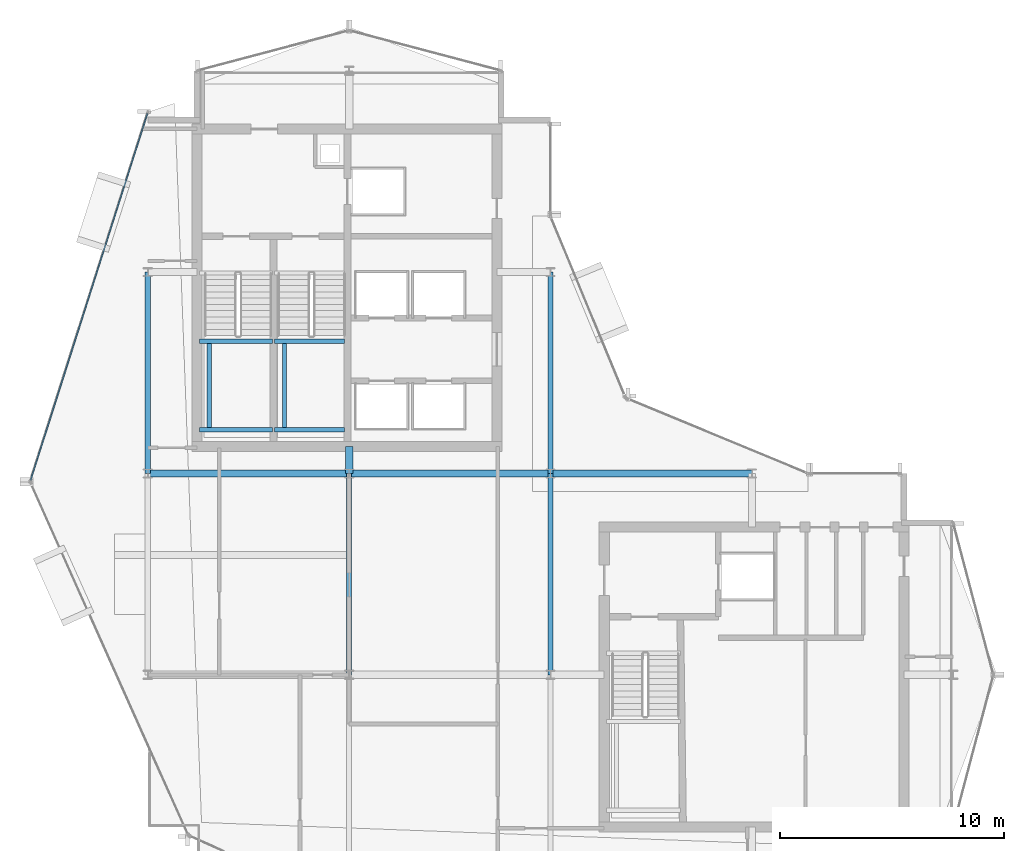
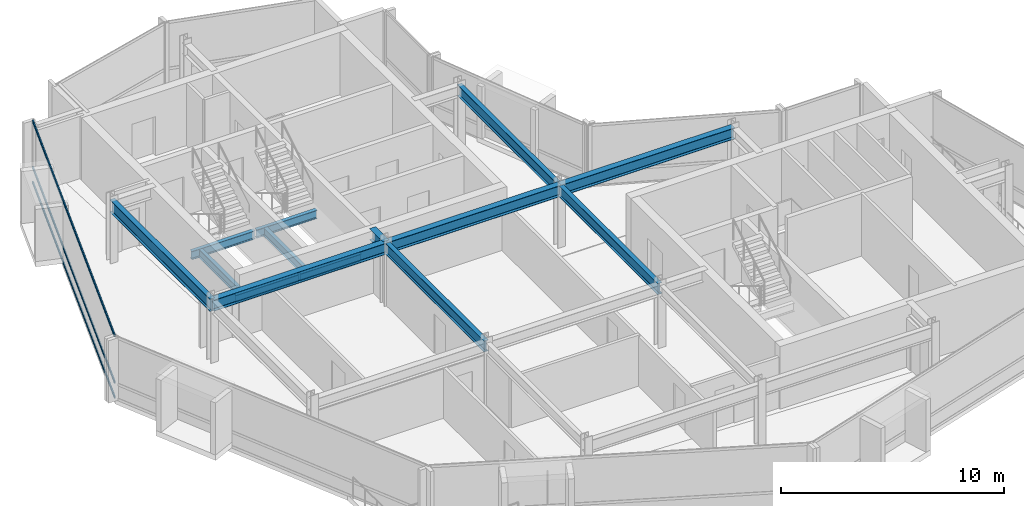
# One storey, part 7 of 19: 14 beams, 3 members, 1 element without a shape of its own.
"""IFC4 building model written with IfcOpenShell, lengths in metres."""

from ifc_helpers import new_model, si_unit, direction, frame, origin, origin_2d, place, context, subcontext, project, spatial, hollow_rectangle, i_section, extrude, material, layer, layer_set, material_profile, profile_set, type_object, element, aggregate, save


model = new_model("IFC4")

# Units and contexts
model_context = context("Model", 3, precision=1e-05, world=origin(), true_north=direction((0.0, 1.0)))
body_context = subcontext(model_context, "Body", "Model", "MODEL_VIEW")
ifc_project = project(units=[si_unit("LENGTHUNIT", "METRE"), si_unit("AREAUNIT", "SQUARE_METRE"), si_unit("VOLUMEUNIT", "CUBIC_METRE"), si_unit("PLANEANGLEUNIT", "RADIAN"), si_unit("MASSUNIT", "GRAM", prefix="KILO")], contexts=[model_context])

# Site, building, storey
site_placement = place(None, origin())
site = spatial("IfcSite", under=ifc_project, at=site_placement, CompositionType="ELEMENT")
building_placement = place(site_placement, origin())
building = spatial("IfcBuilding", under=site, at=building_placement, Name="Solvaryn Broadcast Tower", CompositionType="ELEMENT")
storey_placement = place(building_placement, frame((0.0, 0.0, 259.300048828125)))
storey = spatial("IfcBuildingStorey", under=building, at=storey_placement, Name="L65", CompositionType="ELEMENT", Elevation=259.300048828125)

# Beams
ifc_material_1 = material(Name="Steel ASTM A992 Grade 50", Category="steel")
ifc_material_profile_1 = material_profile(ifc_material_1, i_section(OverallWidth=0.323974609375, OverallDepth=0.611083984375, WebThickness=0.0126953125, FlangeThickness=0.01904296875, FilletRadius=0.014892578125, at=origin_2d()))
ifc_profile_set_1 = profile_set([ifc_material_profile_1], Name="Steel ASTM A992 Grade 50")
beam_type_1 = type_object("IfcBeamType", Name="BM-B1-W24X104", PredefinedType="BEAM", material=ifc_profile_set_1)
for number, where, z_axis, x_axis, name in (
    (1, (9.0, 27.0, 3.114501953125), (1.0, 0.0, 0.0), (0.0, 1.0, 0.0), "L65 Primary Beam X (9-18 @ Y=27)"),
    (2, (18.0, 27.0, 3.114501953125), (1.0, 0.0, 0.0), (0.0, 1.0, 0.0), "L65 Primary Beam X (18-27 @ Y=27)"),
    (3, (27.0, 27.0, 3.114501953125), (1.0, 0.0, 0.0), (0.0, 1.0, 0.0), "L65 Primary Beam X (27-36 @ Y=27)"),
):
    element("IfcBeam", number, at=place(storey_placement, frame(where, z_axis=z_axis, x_axis=x_axis)), inside=storey, type_object=beam_type_1, Name=name, PredefinedType="BEAM", context=body_context, shape_type="SweptSolid", body=[
        extrude(i_section(OverallWidth=0.323974609375, OverallDepth=0.611083984375, WebThickness=0.0126953125, FlangeThickness=0.01904296875, FilletRadius=0.014892578125, at=origin_2d()), origin(), (0.0, 0.0, 1.0), 9.0),
    ])
beam_1_placement = place(storey_placement, frame((18.0, 27.0, 3.114501953125), z_axis=(0.0, 1.0, 0.0), x_axis=(-1.0, 0.0, 0.0)))
element("IfcBeam", 4, at=beam_1_placement, inside=storey, type_object=beam_type_1, Name="L65 Core Tie Beam CTW4", PredefinedType="BEAM", context=body_context, shape_type="SweptSolid", body=[
    extrude(i_section(OverallWidth=0.323974609375, OverallDepth=0.611083984375, WebThickness=0.0126953125, FlangeThickness=0.01904296875, FilletRadius=0.014892578125, at=origin_2d()), origin(), (0.0, 0.0, 1.0), 1.199951171875),
])
ifc_material_2 = material(Name="Steel ASTM A992 Grade 50", Category="steel")
ifc_material_profile_2 = material_profile(ifc_material_2, i_section(OverallWidth=0.22802734375, OverallDepth=0.60791015625, WebThickness=0.01123046875, FlangeThickness=0.017333984375, FilletRadius=0.014892578125, at=origin_2d()))
ifc_profile_set_2 = profile_set([ifc_material_profile_2], Name="Steel ASTM A992 Grade 50")
beam_type_2 = type_object("IfcBeamType", Name="BM-B2-W24X76", PredefinedType="BEAM", material=ifc_profile_set_2)
for number, where, z_axis, x_axis, name in (
    (5, (18.0, 18.0, 3.115966796875), (0.0, 1.0, 0.0), (-1.0, 0.0, 0.0), "L65 Primary Beam Y (18-27 @ X=18)"),
    (6, (27.0, 18.0, 3.115966796875), (0.0, 1.0, 0.0), (-1.0, 0.0, 0.0), "L65 Primary Beam Y (18-27 @ X=27)"),
    (7, (27.0, 27.0, 3.115966796875), (0.0, 1.0, 0.0), (-1.0, 0.0, 0.0), "L65 Primary Beam Y (27-36 @ X=27)"),
):
    element("IfcBeam", number, at=place(storey_placement, frame(where, z_axis=z_axis, x_axis=x_axis)), inside=storey, type_object=beam_type_2, Name=name, PredefinedType="BEAM", context=body_context, shape_type="SweptSolid", body=[
        extrude(i_section(OverallWidth=0.22802734375, OverallDepth=0.60791015625, WebThickness=0.01123046875, FlangeThickness=0.017333984375, FilletRadius=0.014892578125, at=origin_2d()), origin(), (0.0, 0.0, 1.0), 9.0),
    ])
ifc_material_3 = material(Name="Steel ASTM A992 Grade 50", Category="steel")
ifc_material_profile_3 = material_profile(ifc_material_3, i_section(OverallWidth=0.18994140625, OverallDepth=0.45703125, WebThickness=0.009033203125, FlangeThickness=0.014404296875, FilletRadius=0.011962890625, at=origin_2d()))
ifc_profile_set_3 = profile_set([ifc_material_profile_3], Name="Steel ASTM A992 Grade 50")
beam_type_3 = type_object("IfcBeamType", Name="BM-B4-W18X50", PredefinedType="BEAM", material=ifc_profile_set_3)
for number, where, z_axis, x_axis, name in (
    (8, (11.300048828125, 28.949951171875, 1.42138671875), (1.0, 0.0, 0.0), (0.0, 1.0, 0.0), "L65 ST1 Landing Support Beam 1A"),
    (9, (11.300048828125, 32.909912109375, 1.42138671875), (1.0, 0.0, 0.0), (0.0, 1.0, 0.0), "L65 ST1 Landing Support Beam 1B"),
):
    element("IfcBeam", number, at=place(storey_placement, frame(where, z_axis=z_axis, x_axis=x_axis)), inside=storey, type_object=beam_type_3, Name=name, PredefinedType="BEAM", context=body_context, shape_type="SweptSolid", body=[
        extrude(i_section(OverallWidth=0.18994140625, OverallDepth=0.45703125, WebThickness=0.009033203125, FlangeThickness=0.014404296875, FilletRadius=0.011962890625, at=origin_2d()), origin(), (0.0, 0.0, 1.0), 3.280029296875),
    ])
beam_2_placement = place(storey_placement, frame((11.75, 28.949951171875, 1.42138671875), z_axis=(0.0, 1.0, 0.0), x_axis=(-1.0, 0.0, 0.0)))
element("IfcBeam", 10, at=beam_2_placement, inside=storey, type_object=beam_type_3, Name="L65 ST1 Landing Cross Stringer 1C", PredefinedType="BEAM", context=body_context, shape_type="SweptSolid", body=[
    extrude(i_section(OverallWidth=0.18994140625, OverallDepth=0.45703125, WebThickness=0.009033203125, FlangeThickness=0.014404296875, FilletRadius=0.011962890625, at=origin_2d()), origin(), (0.0, 0.0, 1.0), 3.9599609375),
])
for number, where, z_axis, x_axis, name in (
    (11, (14.659912109375, 28.949951171875, 1.42138671875), (1.0, 0.0, 0.0), (0.0, 1.0, 0.0), "L65 ST2 Landing Support Beam 1A"),
    (12, (14.659912109375, 32.909912109375, 1.42138671875), (1.0, 0.0, 0.0), (0.0, 1.0, 0.0), "L65 ST2 Landing Support Beam 1B"),
):
    element("IfcBeam", number, at=place(storey_placement, frame(where, z_axis=z_axis, x_axis=x_axis)), inside=storey, type_object=beam_type_3, Name=name, PredefinedType="BEAM", context=body_context, shape_type="SweptSolid", body=[
        extrude(i_section(OverallWidth=0.18994140625, OverallDepth=0.45703125, WebThickness=0.009033203125, FlangeThickness=0.014404296875, FilletRadius=0.011962890625, at=origin_2d()), origin(), (0.0, 0.0, 1.0), 3.14013671875),
    ])
beam_3_placement = place(storey_placement, frame((15.110107421875, 28.949951171875, 1.42138671875), z_axis=(0.0, 1.0, 0.0), x_axis=(-1.0, 0.0, 0.0)))
element("IfcBeam", 13, at=beam_3_placement, inside=storey, type_object=beam_type_3, Name="L65 ST2 Landing Cross Stringer 1C", PredefinedType="BEAM", context=body_context, shape_type="SweptSolid", body=[
    extrude(i_section(OverallWidth=0.18994140625, OverallDepth=0.45703125, WebThickness=0.009033203125, FlangeThickness=0.014404296875, FilletRadius=0.011962890625, at=origin_2d()), origin(), (0.0, 0.0, 1.0), 3.9599609375),
])
ifc_material_4 = material(Name="Steel ASTM A992 Grade 50", Category="steel")
ifc_material_profile_4 = material_profile(ifc_material_4, i_section(OverallWidth=0.256103515625, OverallDepth=0.693115234375, WebThickness=0.014404296875, FlangeThickness=0.023681640625, FilletRadius=0.01611328125, at=origin_2d()))
ifc_profile_set_4 = profile_set([ifc_material_profile_4], Name="Steel ASTM A992 Grade 50")
beam_type_4 = type_object("IfcBeamType", Name="BM-SP3-W27X114", PredefinedType="USERDEFINED", material=ifc_profile_set_4)
beam_4_placement = place(storey_placement, frame((9.0, 27.0, 3.073486328125), z_axis=(0.0, 1.0, 0.0), x_axis=(-1.0, 0.0, 0.0)))
element("IfcBeam", 14, at=beam_4_placement, inside=storey, type_object=beam_type_4, Name="L65 Spandrel Beam Y (27-36 @ X=9)", ObjectType="SPANDREL", PredefinedType="USERDEFINED", context=body_context, shape_type="SweptSolid", body=[
    extrude(i_section(OverallWidth=0.256103515625, OverallDepth=0.693115234375, WebThickness=0.014404296875, FlangeThickness=0.023681640625, FilletRadius=0.01611328125, at=origin_2d()), origin(), (0.0, 0.0, 1.0), 9.0),
])

# Curtain wall, members
ifc_material_5 = material(Name="Aluminium and Terracotta Unitised Curtain Wall", Category="masonry")
ifc_layer = layer(ifc_material_5, 0.199951171875)
ifc_layer_set = layer_set([ifc_layer], Name="CW-SYS2-LOWMID")
curtain_wall_type = type_object("IfcCurtainWallType", Name="CW-SYS2-LOWMID", PredefinedType="NOTDEFINED", material=ifc_layer_set)
curtain_wall_placement = place(storey_placement, origin())
curtain_wall = element("IfcCurtainWall", 15, at=curtain_wall_placement, inside=storey, type_object=curtain_wall_type, Name="L65 Curtain Wall DR1", PredefinedType="NOTDEFINED")
ifc_material_6 = material(Name="Anodised Aluminium 6063-T6", Category="aluminium")
ifc_material_profile_5 = material_profile(ifc_material_6, hollow_rectangle(XDim=0.06494140625, YDim=0.14990234375, WallThickness=0.00390625, InnerFilletRadius=0.00390625, OuterFilletRadius=0.008056640625, at=origin_2d()))
ifc_profile_set_5 = profile_set([ifc_material_profile_5], Name="Anodised Aluminium 6063-T6")
member_type = type_object("IfcMemberType", Name="CW-TRN-150", PredefinedType="USERDEFINED", material=ifc_profile_set_5)
member_1_placement = place(storey_placement, frame((8.981689453125, 43.091796875, 0.030029296875), z_axis=(-0.303616405252, -0.952794352661, 0.0), x_axis=(0.952794352661, -0.303616405252, 0.0)))
member_1 = element("IfcMember", 16, at=member_1_placement, type_object=member_type, Name="CWS2 transom 1.1", ObjectType="TRANSOM", PredefinedType="USERDEFINED", context=body_context, shape_type="SweptSolid", body=[
    extrude(hollow_rectangle(XDim=0.06494140625, YDim=0.14990234375, WallThickness=0.00390625, InnerFilletRadius=0.00390625, OuterFilletRadius=0.008056640625, at=origin_2d()), origin(), (0.0, 0.0, 1.0), 17.211181640625),
])
member_2_placement = place(storey_placement, frame((8.981689453125, 43.091796875, 0.849853515625), z_axis=(-0.303616405252, -0.952794352661, 0.0), x_axis=(0.952794352661, -0.303616405252, 0.0)))
member_2 = element("IfcMember", 17, at=member_2_placement, type_object=member_type, Name="CWS2 transom 1.2", ObjectType="TRANSOM", PredefinedType="USERDEFINED", context=body_context, shape_type="SweptSolid", body=[
    extrude(hollow_rectangle(XDim=0.06494140625, YDim=0.14990234375, WallThickness=0.00390625, InnerFilletRadius=0.00390625, OuterFilletRadius=0.008056640625, at=origin_2d()), origin(), (0.0, 0.0, 1.0), 17.211181640625),
])
member_3_placement = place(storey_placement, frame((8.981689453125, 43.091796875, 3.389892578125), z_axis=(-0.303616405252, -0.952794352661, 0.0), x_axis=(0.952794352661, -0.303616405252, 0.0)))
member_3 = element("IfcMember", 18, at=member_3_placement, type_object=member_type, Name="CWS2 transom 1.3", ObjectType="TRANSOM", PredefinedType="USERDEFINED", context=body_context, shape_type="SweptSolid", body=[
    extrude(hollow_rectangle(XDim=0.06494140625, YDim=0.14990234375, WallThickness=0.00390625, InnerFilletRadius=0.00390625, OuterFilletRadius=0.008056640625, at=origin_2d()), origin(), (0.0, 0.0, 1.0), 17.211181640625),
])
aggregate(curtain_wall, [member_1, member_2, member_3])

save(model, "model.ifc")
